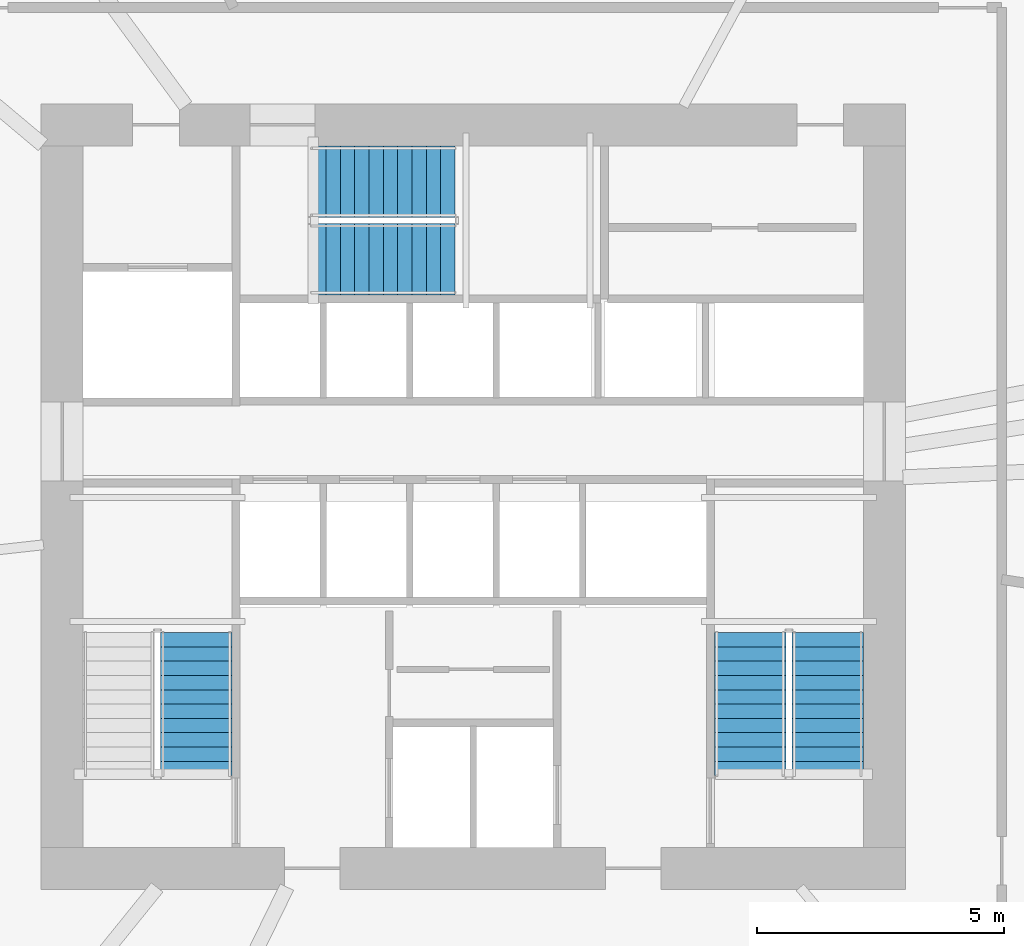
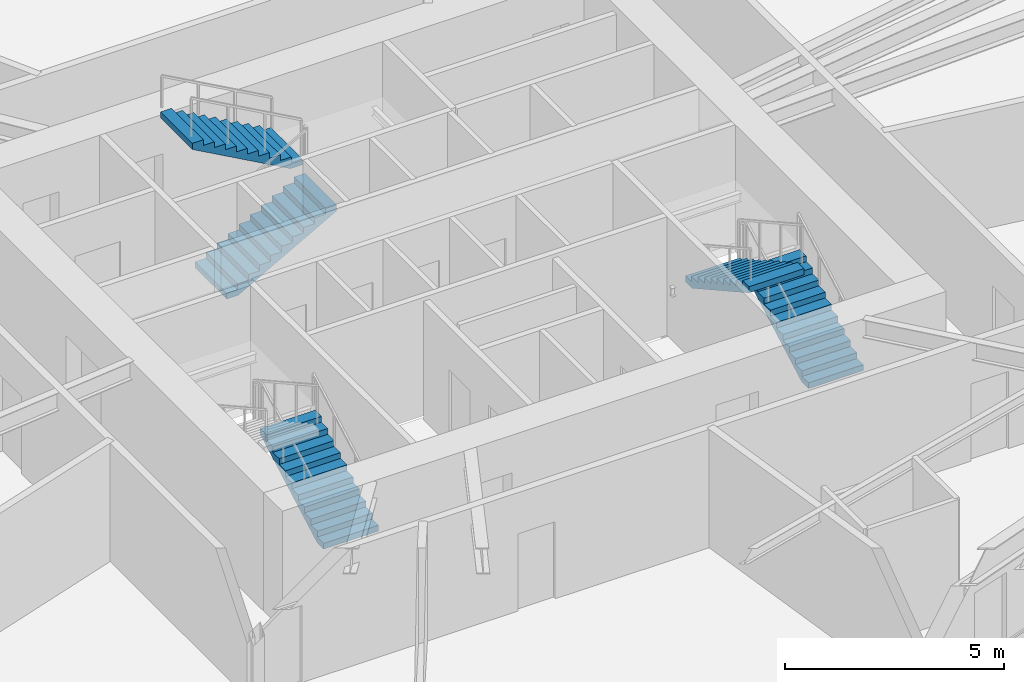
# One storey, part 18 of 22: 5 stair flights, 3 elements without a shape of their own.
"""IFC4 building model written with IfcOpenShell, lengths in metres."""

from ifc_helpers import new_model, si_unit, direction, frame, origin, place, context, subcontext, project, spatial, polyline, outline, extrude, material, type_object, element, aggregate, save


model = new_model("IFC4")

# Units and contexts
model_context = context("Model", 3, precision=1e-05, world=origin(), true_north=direction((0.0, 1.0)))
body_context = subcontext(model_context, "Body", "Model", "MODEL_VIEW")
ifc_project = project(units=[si_unit("LENGTHUNIT", "METRE"), si_unit("AREAUNIT", "SQUARE_METRE"), si_unit("VOLUMEUNIT", "CUBIC_METRE"), si_unit("PLANEANGLEUNIT", "RADIAN"), si_unit("MASSUNIT", "GRAM", prefix="KILO")], contexts=[model_context])

# Site, building, storey
site_placement = place(None, origin())
site = spatial("IfcSite", under=ifc_project, at=site_placement, CompositionType="ELEMENT")
building_placement = place(site_placement, origin())
building = spatial("IfcBuilding", under=site, at=building_placement, Name="Olszyna Solenne Hotel", CompositionType="ELEMENT")
storey_placement = place(building_placement, frame((0.0, 0.0, 57.699951171875)))
storey = spatial("IfcBuildingStorey", under=building, at=storey_placement, Name="L14", CompositionType="ELEMENT", Elevation=57.699951171875)

# Stair, stair flight
ifc_material = material(Name="Concrete C40/50", Category="concrete")
stair_type = type_object("IfcStairType", Name="STR-C1", PredefinedType="TWO_QUARTER_WINDING_STAIR", material=ifc_material)
stair_1_placement = place(storey_placement, origin())
stair_1 = element("IfcStair", 1, at=stair_1_placement, inside=storey, type_object=stair_type, Name="L14 ST1", PredefinedType="TWO_QUARTER_WINDING_STAIR")
stair_flight_type = type_object("IfcStairFlightType", Name="FLT-C1", PredefinedType="STRAIGHT", material=ifc_material)
stair_flight_1_placement = place(storey_placement, frame((32.39501953125, 20.949951171875, 0.0), z_axis=(0.0, 0.0, 1.0), x_axis=(0.0, 1.0, 0.0)))
stair_flight_1 = element("IfcStairFlight", 2, at=stair_flight_1_placement, type_object=stair_flight_type, Name="ST1 flight 1", NumberOfRisers=11, NumberOfTreads=10, PredefinedType="STRAIGHT", RiserHeight=0.161363636, TreadLength=0.29, context=body_context, shape_type="SweptSolid", body=[
    extrude(outline(polyline([(0.0, 0.0), (0.0, 0.161376953125), (0.2900390625, 0.161376953125), (0.2900390625, 0.32275390625), (0.580078125, 0.32275390625), (0.580078125, 0.484130859375), (0.8701171875, 0.484130859375), (0.8701171875, 0.6455078125), (1.159912109375, 0.6455078125), (1.159912109375, 0.806884765625), (1.449951171875, 0.806884765625), (1.449951171875, 0.96826171875), (1.739990234375, 0.96826171875), (1.739990234375, 1.129638671875), (2.030029296875, 1.129638671875), (2.030029296875, 1.291015625), (2.320068359375, 1.291015625), (2.320068359375, 1.452392578125), (2.610107421875, 1.452392578125), (2.610107421875, 1.613525390625), (2.89990234375, 1.613525390625), (2.89990234375, 1.77490234375), (2.89990234375, 1.442138671875), (0.308349609375, 0.0), (0.0, 0.0)])), frame((0.0, 0.72509765625, 0.0), z_axis=(0.0, -1.0, 0.0), x_axis=(1.0, 0.0, 0.0)), (0.0, 0.0, 1.0), 1.449951171875),
])
aggregate(stair_1, [stair_flight_1])

# Stair, stair flights
stair_2_placement = place(storey_placement, origin())
stair_2 = element("IfcStair", 3, at=stair_2_placement, inside=storey, type_object=stair_type, Name="L14 ST2", PredefinedType="TWO_QUARTER_WINDING_STAIR")
stair_flight_2_placement = place(storey_placement, frame((45.175048828125, 20.949951171875, 0.0), z_axis=(0.0, 0.0, 1.0), x_axis=(0.0, 1.0, 0.0)))
stair_flight_2 = element("IfcStairFlight", 4, at=stair_flight_2_placement, type_object=stair_flight_type, Name="ST2 flight 1", NumberOfRisers=11, NumberOfTreads=10, PredefinedType="STRAIGHT", RiserHeight=0.161363636, TreadLength=0.29, context=body_context, shape_type="SweptSolid", body=[
    extrude(outline(polyline([(0.0, 0.0), (0.0, 0.161376953125), (0.2900390625, 0.161376953125), (0.2900390625, 0.32275390625), (0.580078125, 0.32275390625), (0.580078125, 0.484130859375), (0.8701171875, 0.484130859375), (0.8701171875, 0.6455078125), (1.159912109375, 0.6455078125), (1.159912109375, 0.806884765625), (1.449951171875, 0.806884765625), (1.449951171875, 0.96826171875), (1.739990234375, 0.96826171875), (1.739990234375, 1.129638671875), (2.030029296875, 1.129638671875), (2.030029296875, 1.291015625), (2.320068359375, 1.291015625), (2.320068359375, 1.452392578125), (2.610107421875, 1.452392578125), (2.610107421875, 1.613525390625), (2.89990234375, 1.613525390625), (2.89990234375, 1.77490234375), (2.89990234375, 1.442138671875), (0.308349609375, 0.0), (0.0, 0.0)])), frame((0.0, 0.72509765625, 0.0), z_axis=(0.0, -1.0, 0.0), x_axis=(1.0, 0.0, 0.0)), (0.0, 0.0, 1.0), 1.449951171875),
])
stair_flight_3_placement = place(storey_placement, frame((43.60498046875, 23.85009765625, 1.775146484375), z_axis=(0.0, 0.0, 1.0), x_axis=(0.0, -1.0, 0.0)))
stair_flight_3 = element("IfcStairFlight", 5, at=stair_flight_3_placement, type_object=stair_flight_type, Name="ST2 flight 2", NumberOfRisers=11, NumberOfTreads=10, PredefinedType="STRAIGHT", RiserHeight=0.161363636, TreadLength=0.29, context=body_context, shape_type="SweptSolid", body=[
    extrude(outline(polyline([(0.0, 0.0), (0.0, 0.161376953125), (0.2900390625, 0.161376953125), (0.2900390625, 0.32275390625), (0.580078125, 0.32275390625), (0.580078125, 0.484130859375), (0.8701171875, 0.484130859375), (0.8701171875, 0.6455078125), (1.159912109375, 0.6455078125), (1.159912109375, 0.806884765625), (1.449951171875, 0.806884765625), (1.449951171875, 0.96826171875), (1.739990234375, 0.96826171875), (1.739990234375, 1.129638671875), (2.030029296875, 1.129638671875), (2.030029296875, 1.291015625), (2.320068359375, 1.291015625), (2.320068359375, 1.452392578125), (2.610107421875, 1.452392578125), (2.610107421875, 1.613525390625), (2.89990234375, 1.613525390625), (2.89990234375, 1.77490234375), (2.89990234375, 1.442138671875), (0.308349609375, 0.0), (0.0, 0.0)])), frame((0.0, 0.72509765625, 0.0), z_axis=(0.0, -1.0, 0.0), x_axis=(1.0, 0.0, 0.0)), (0.0, 0.0, 1.0), 1.449951171875),
])
aggregate(stair_2, [stair_flight_2, stair_flight_3])

stair_3_placement = place(storey_placement, origin())
stair_3 = element("IfcStair", 6, at=stair_3_placement, inside=storey, type_object=stair_type, Name="L14 ST3", PredefinedType="TWO_QUARTER_WINDING_STAIR")
stair_flight_4_placement = place(storey_placement, frame((34.72998046875, 31.405029296875, 0.0), z_axis=(0.0, 0.0, 1.0), x_axis=(1.0, 0.0, 0.0)))
stair_flight_4 = element("IfcStairFlight", 7, at=stair_flight_4_placement, type_object=stair_flight_type, Name="ST3 flight 1", NumberOfRisers=11, NumberOfTreads=10, PredefinedType="STRAIGHT", RiserHeight=0.161363636, TreadLength=0.29, context=body_context, shape_type="SweptSolid", body=[
    extrude(outline(polyline([(0.0, 0.0), (0.0, 0.161376953125), (0.2900390625, 0.161376953125), (0.2900390625, 0.32275390625), (0.580078125, 0.32275390625), (0.580078125, 0.484130859375), (0.8701171875, 0.484130859375), (0.8701171875, 0.6455078125), (1.159912109375, 0.6455078125), (1.159912109375, 0.806884765625), (1.449951171875, 0.806884765625), (1.449951171875, 0.96826171875), (1.739990234375, 0.96826171875), (1.739990234375, 1.129638671875), (2.030029296875, 1.129638671875), (2.030029296875, 1.291015625), (2.320068359375, 1.291015625), (2.320068359375, 1.452392578125), (2.610107421875, 1.452392578125), (2.610107421875, 1.613525390625), (2.89990234375, 1.613525390625), (2.89990234375, 1.77490234375), (2.89990234375, 1.442138671875), (0.308349609375, 0.0), (0.0, 0.0)])), frame((0.0, 0.72509765625, 0.0), z_axis=(0.0, -1.0, 0.0), x_axis=(1.0, 0.0, 0.0)), (0.0, 0.0, 1.0), 1.449951171875),
])
stair_flight_5_placement = place(storey_placement, frame((37.6298828125, 32.97509765625, 1.775146484375), z_axis=(0.0, 0.0, 1.0), x_axis=(-1.0, 0.0, 0.0)))
stair_flight_5 = element("IfcStairFlight", 8, at=stair_flight_5_placement, type_object=stair_flight_type, Name="ST3 flight 2", NumberOfRisers=11, NumberOfTreads=10, PredefinedType="STRAIGHT", RiserHeight=0.161363636, TreadLength=0.29, context=body_context, shape_type="SweptSolid", body=[
    extrude(outline(polyline([(0.0, 0.0), (0.0, 0.161376953125), (0.2900390625, 0.161376953125), (0.2900390625, 0.32275390625), (0.580078125, 0.32275390625), (0.580078125, 0.484130859375), (0.8701171875, 0.484130859375), (0.8701171875, 0.6455078125), (1.159912109375, 0.6455078125), (1.159912109375, 0.806884765625), (1.449951171875, 0.806884765625), (1.449951171875, 0.96826171875), (1.739990234375, 0.96826171875), (1.739990234375, 1.129638671875), (2.030029296875, 1.129638671875), (2.030029296875, 1.291015625), (2.320068359375, 1.291015625), (2.320068359375, 1.452392578125), (2.610107421875, 1.452392578125), (2.610107421875, 1.613525390625), (2.89990234375, 1.613525390625), (2.89990234375, 1.77490234375), (2.89990234375, 1.442138671875), (0.308349609375, 0.0), (0.0, 0.0)])), frame((0.0, 0.72509765625, 0.0), z_axis=(0.0, -1.0, 0.0), x_axis=(1.0, 0.0, 0.0)), (0.0, 0.0, 1.0), 1.449951171875),
])
aggregate(stair_3, [stair_flight_4, stair_flight_5])

save(model, "model.ifc")
